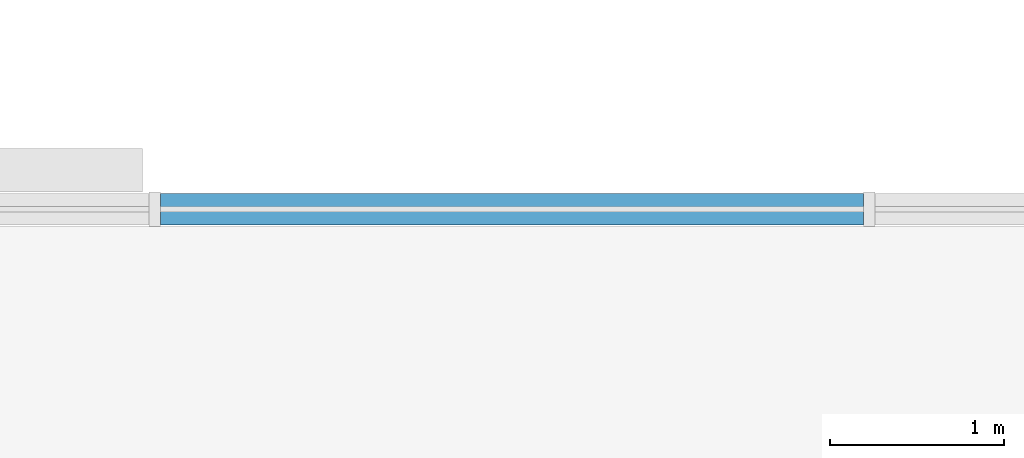
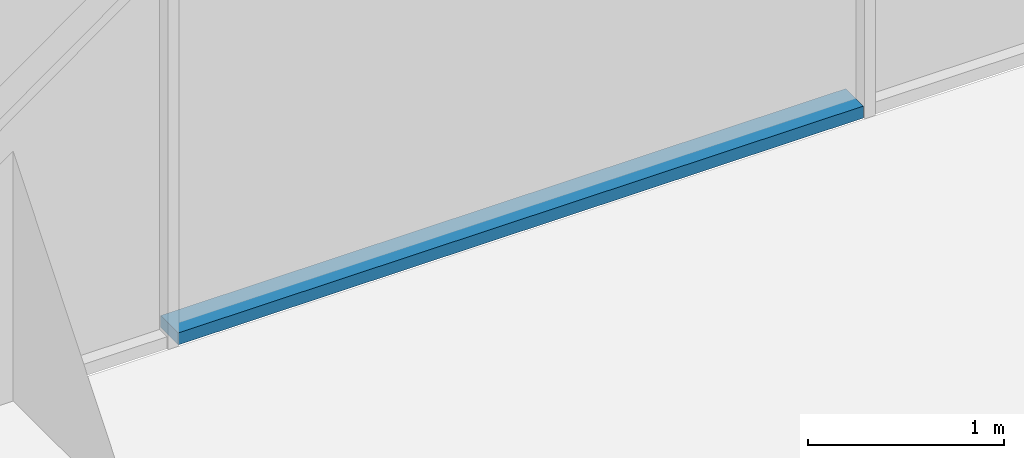
# One storey, part 6 of 16: 1 member, 1 element without a shape of its own.
"""IFC4 building model written with IfcOpenShell, lengths in metres."""

from ifc_helpers import new_model, si_unit, direction, frame, origin, origin_2d, place, context, subcontext, project, spatial, rectangle, extrude, material, material_profile, profile_set, type_object, element, aggregate, save


model = new_model("IFC4")

# Units and contexts
model_context = context("Model", 3, precision=1e-05, world=origin(), true_north=direction((0.0, 1.0)))
body_context = subcontext(model_context, "Body", "Model", "MODEL_VIEW")
ifc_project = project(units=[si_unit("LENGTHUNIT", "METRE"), si_unit("AREAUNIT", "SQUARE_METRE"), si_unit("VOLUMEUNIT", "CUBIC_METRE"), si_unit("PLANEANGLEUNIT", "RADIAN"), si_unit("MASSUNIT", "GRAM", prefix="KILO")], contexts=[model_context])

# Site, building, storey
site_placement = place(None, origin())
site = spatial("IfcSite", under=ifc_project, at=site_placement, CompositionType="ELEMENT")
building_placement = place(site_placement, origin())
building = spatial("IfcBuilding", under=site, at=building_placement, Name="Dunama Terrace Hotel", CompositionType="ELEMENT")
storey_placement = place(building_placement, frame((0.0, 0.0, 84.60009765625)))
storey = spatial("IfcBuildingStorey", under=building, at=storey_placement, Name="L21", CompositionType="ELEMENT", Elevation=84.60009765625)

# Curtain wall, member
ifc_material_1 = material(Name="Aluminium curtain wall system", Category="aluminium")
curtain_wall_type = type_object("IfcCurtainWallType", Name="Unitised fritted glass wall CW-A", PredefinedType="NOTDEFINED", material=ifc_material_1)
curtain_wall_placement = place(storey_placement, origin())
curtain_wall = element("IfcCurtainWall", 1, at=curtain_wall_placement, inside=storey, type_object=curtain_wall_type, Name="Unitised fritted glass wall CW-A L21", PredefinedType="NOTDEFINED")
ifc_material_2 = material(Name="Aluminium transom", Category="aluminium")
ifc_material_profile = material_profile(ifc_material_2, rectangle(XDim=0.179931640625, YDim=0.074951171875, at=origin_2d()), Name="CWA TRANSOM 180X75")
ifc_profile_set = profile_set([ifc_material_profile], Name="Aluminium transom")
member_type = type_object("IfcMemberType", Name="CWA transom 180x75", PredefinedType="USERDEFINED", material=ifc_profile_set)
member_placement = place(storey_placement, frame((31.4208984375, 58.89990234375, 0.037353515625), z_axis=(-1.0, 0.0, 0.0), x_axis=(0.0, -1.0, 0.0)))
member = element("IfcMember", 2, at=member_placement, type_object=member_type, Name="CWA transom", ObjectType="TRANSOM", PredefinedType="USERDEFINED", context=body_context, shape_type="SweptSolid", body=[
    extrude(rectangle(XDim=0.179931640625, YDim=0.074951171875, at=origin_2d()), origin(), (0.0, 0.0, 1.0), 4.0419921875),
])
aggregate(curtain_wall, [member])

save(model, "model.ifc")
